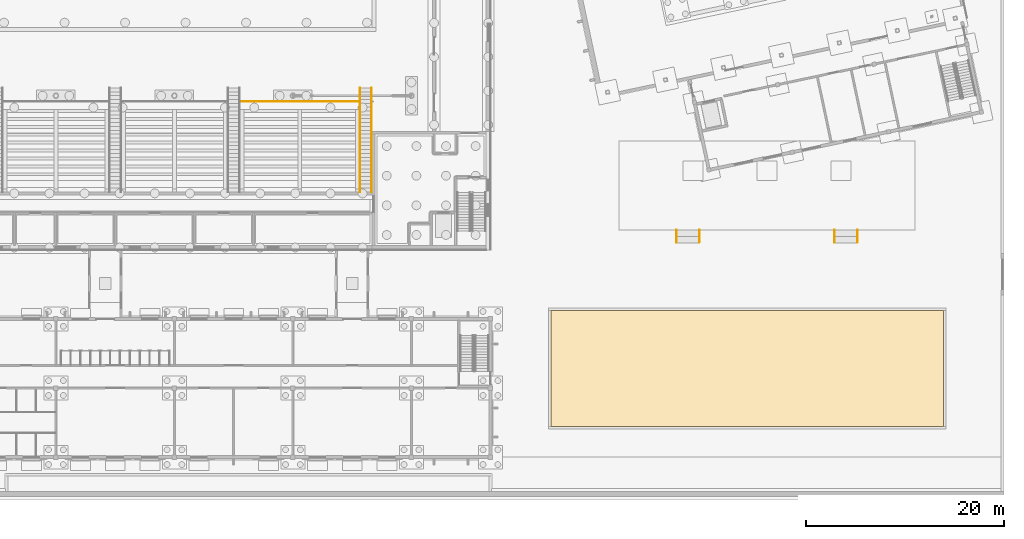
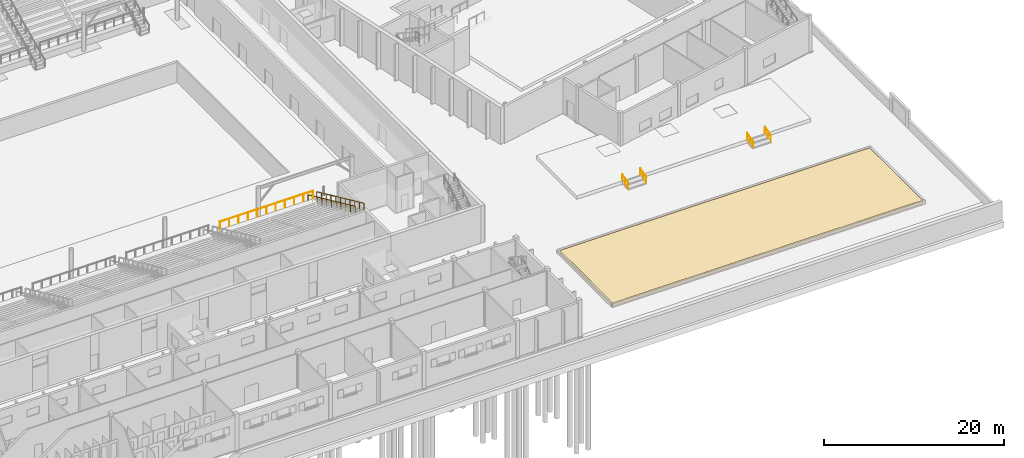
# One storey, part 143 of 157: 7 railings, 1 covering.
"""IFC4 building model written with IfcOpenShell, lengths in metres."""

from ifc_helpers import new_model, si_unit, direction, frame, origin, origin_2d, place, context, subcontext, project, spatial, polyline, circle, outline, extrude, material, layer, layer_set, type_object, element, save


model = new_model("IFC4")

# Units and contexts
model_context = context("Model", 3, precision=1e-05, world=origin(), true_north=direction((0.0, 1.0)))
body_context = subcontext(model_context, "Body", "Model", "MODEL_VIEW")
ifc_project = project(units=[si_unit("LENGTHUNIT", "METRE"), si_unit("AREAUNIT", "SQUARE_METRE"), si_unit("VOLUMEUNIT", "CUBIC_METRE"), si_unit("PLANEANGLEUNIT", "RADIAN"), si_unit("MASSUNIT", "GRAM", prefix="KILO")], contexts=[model_context])

# Site, building, storey
site_placement = place(None, origin())
site = spatial("IfcSite", under=ifc_project, at=site_placement, CompositionType="ELEMENT")
building_placement = place(site_placement, origin())
building = spatial("IfcBuilding", under=site, at=building_placement, Name="Windward Yard Aquatics Centre", CompositionType="ELEMENT")
storey_placement = place(building_placement, origin())
storey = spatial("IfcBuildingStorey", under=building, at=storey_placement, Name="L00", CompositionType="ELEMENT", Elevation=0.0)

# Railings
ifc_material_1 = material(Name="Stainless steel 1.4529", Category="steel")
railing_type_1 = type_object("IfcRailingType", Name="H Guard Steel 1100", PredefinedType="GUARDRAIL", material=ifc_material_1)
railing_placement = place(storey_placement, frame((126.72509765625, 41.0, 1.39990234375)))
element("IfcRailing", 1, at=railing_placement, inside=storey, type_object=railing_type_1, Name="Stand front barrier S7", PredefinedType="GUARDRAIL", context=body_context, shape_type="SweptSolid", body=[
    extrude(circle(Radius=0.02392578125, at=origin_2d()), frame((0.0, 0.0, 1.076171875), z_axis=(1.0, 0.0, 0.0), x_axis=(0.0, 1.0, 0.0)), (0.0, 0.0, 1.0), 11.9248046875),
    extrude(circle(Radius=0.02099609375, at=origin_2d()), origin(), (0.0, 0.0, 1.0), 1.052001953125),
    extrude(circle(Radius=0.02099609375, at=origin_2d()), frame((1.1923828125, 0.0, 0.0)), (0.0, 0.0, 1.0), 1.052001953125),
    extrude(circle(Radius=0.02099609375, at=origin_2d()), frame((2.385009765625, 0.0, 0.0)), (0.0, 0.0, 1.0), 1.052001953125),
    extrude(circle(Radius=0.02099609375, at=origin_2d()), frame((3.577392578125, 0.0, 0.0)), (0.0, 0.0, 1.0), 1.052001953125),
    extrude(circle(Radius=0.02099609375, at=origin_2d()), frame((4.77001953125, 0.0, 0.0)), (0.0, 0.0, 1.0), 1.052001953125),
    extrude(circle(Radius=0.02099609375, at=origin_2d()), frame((5.96240234375, 0.0, 0.0)), (0.0, 0.0, 1.0), 1.052001953125),
    extrude(circle(Radius=0.02099609375, at=origin_2d()), frame((7.15478515625, 0.0, 0.0)), (0.0, 0.0, 1.0), 1.052001953125),
    extrude(circle(Radius=0.02099609375, at=origin_2d()), frame((8.347412109375, 0.0, 0.0)), (0.0, 0.0, 1.0), 1.052001953125),
    extrude(circle(Radius=0.02099609375, at=origin_2d()), frame((9.539794921875, 0.0, 0.0)), (0.0, 0.0, 1.0), 1.052001953125),
    extrude(circle(Radius=0.02099609375, at=origin_2d()), frame((10.732421875, 0.0, 0.0)), (0.0, 0.0, 1.0), 1.052001953125),
    extrude(circle(Radius=0.02099609375, at=origin_2d()), frame((11.9248046875, 0.0, 0.0)), (0.0, 0.0, 1.0), 1.052001953125),
])
railing_type_2 = type_object("IfcRailingType", Name="H Handrail Steel 900", PredefinedType="HANDRAIL", material=ifc_material_1)
for number, where, name in (
    (2, (138.800048828125, 42.3896484375, 0.1787109375), "Vomitory stair S7 handrail 1"),
    (3, (139.949951171875, 42.3896484375, 0.1787109375), "Vomitory stair S7 handrail 2"),
):
    element("IfcRailing", number, at=place(storey_placement, frame(where)), inside=storey, type_object=railing_type_2, Name=name, PredefinedType="HANDRAIL", context=body_context, shape_type="SweptSolid", body=[
        extrude(circle(Radius=0.02392578125, at=origin_2d()), frame((0.0, 0.0, 0.8759765625), z_axis=(0.0, -0.909227440193, 0.416299726158), x_axis=(1.0, 0.0, 0.0)), (0.0, 0.0, 1.0), 11.581298828125),
        extrude(circle(Radius=0.02099609375, at=origin_2d()), origin(), (0.0, 0.0, 1.0), 0.851806640625),
        extrude(circle(Radius=0.02099609375, at=origin_2d()), frame((0.0, -1.052978515625, 0.482177734375)), (0.0, 0.0, 1.0), 0.851806640625),
        extrude(circle(Radius=0.02099609375, at=origin_2d()), frame((0.0, -2.10595703125, 0.96435546875)), (0.0, 0.0, 1.0), 0.851806640625),
        extrude(circle(Radius=0.02099609375, at=origin_2d()), frame((0.0, -3.158935546875, 1.4462890625)), (0.0, 0.0, 1.0), 0.851806640625),
        extrude(circle(Radius=0.02099609375, at=origin_2d()), frame((0.0, -4.2119140625, 1.928466796875)), (0.0, 0.0, 1.0), 0.851806640625),
        extrude(circle(Radius=0.02099609375, at=origin_2d()), frame((0.0, -5.26513671875, 2.41064453125)), (0.0, 0.0, 1.0), 0.851806640625),
        extrude(circle(Radius=0.02099609375, at=origin_2d()), frame((0.0, -6.318115234375, 2.892822265625)), (0.0, 0.0, 1.0), 0.851806640625),
        extrude(circle(Radius=0.02099609375, at=origin_2d()), frame((0.0, -7.37109375, 3.375)), (0.0, 0.0, 1.0), 0.851806640625),
        extrude(circle(Radius=0.02099609375, at=origin_2d()), frame((0.0, -8.424072265625, 3.85693359375)), (0.0, 0.0, 1.0), 0.851806640625),
        extrude(circle(Radius=0.02099609375, at=origin_2d()), frame((0.0, -9.47705078125, 4.339111328125)), (0.0, 0.0, 1.0), 0.851806640625),
        extrude(circle(Radius=0.02099609375, at=origin_2d()), frame((0.0, -10.530029296875, 4.8212890625)), (0.0, 0.0, 1.0), 0.851806640625),
    ])
railing_type_3 = type_object("IfcRailingType", Name="X Handrail Steel 900", PredefinedType="HANDRAIL", material=ifc_material_1)
for number, where, name in (
    (4, (170.85009765625, 26.75, 0.14990234375), "East garden terrace stair 1 handrail"),
    (5, (173.14990234375, 26.75, 0.14990234375), "East garden terrace stair 1 handrail"),
    (6, (186.85009765625, 26.75, 0.14990234375), "East garden terrace stair 2 handrail"),
    (7, (189.14990234375, 26.75, 0.14990234375), "East garden terrace stair 2 handrail"),
):
    element("IfcRailing", number, at=place(storey_placement, frame(where)), inside=storey, type_object=railing_type_3, Name=name, PredefinedType="HANDRAIL", context=body_context, shape_type="SweptSolid", body=[
        extrude(circle(Radius=0.02392578125, at=origin_2d()), frame((0.0, 0.0, 0.8759765625), z_axis=(0.0, 0.972378681754, 0.233408867163), x_axis=(-1.0, 0.0, 0.0)), (0.0, 0.0, 1.0), 1.285400390625),
        extrude(circle(Radius=0.02099609375, at=origin_2d()), origin(), (0.0, 0.0, 1.0), 0.851806640625),
        extrude(circle(Radius=0.02099609375, at=origin_2d()), frame((0.0, 0.625, 0.14990234375)), (0.0, 0.0, 1.0), 0.851806640625),
        extrude(circle(Radius=0.02099609375, at=origin_2d()), frame((0.0, 1.25, 0.300048828125)), (0.0, 0.0, 1.0), 0.851806640625),
    ])

# Covering
ifc_material_2 = material(Name="Planting soil")
ifc_layer_1 = layer(ifc_material_2, 0.448, Name="Planting")
ifc_material_3 = material(Name="Filter fabric")
ifc_layer_2 = layer(ifc_material_3, 0.002, Name="Filter")
ifc_material_4 = material(Name="Drainage board")
ifc_layer_3 = layer(ifc_material_4, 0.05, Name="Drainage")
ifc_layer_set = layer_set([ifc_layer_1, ifc_layer_2, ifc_layer_3], Name="X Planting Bed Soil 400")
covering_type = type_object("IfcCoveringType", Name="X Planting Bed Soil 400", PredefinedType="USERDEFINED", material=ifc_layer_set)
covering_placement = place(storey_placement, frame((0.0, 0.0, -0.10009765625)))
element("IfcCovering", 8, at=covering_placement, inside=storey, type_object=covering_type, Name="East shade garden", ObjectType="PLANTING BED", PredefinedType="USERDEFINED", context=body_context, shape_type="SweptSolid", body=[
    extrude(outline(polyline([(158.125, 8.125), (197.875, 8.125), (197.875, 19.875), (158.125, 19.875), (158.125, 8.125)])), origin(), (0.0, 0.0, 1.0), 0.5),
])

save(model, "model.ifc")
